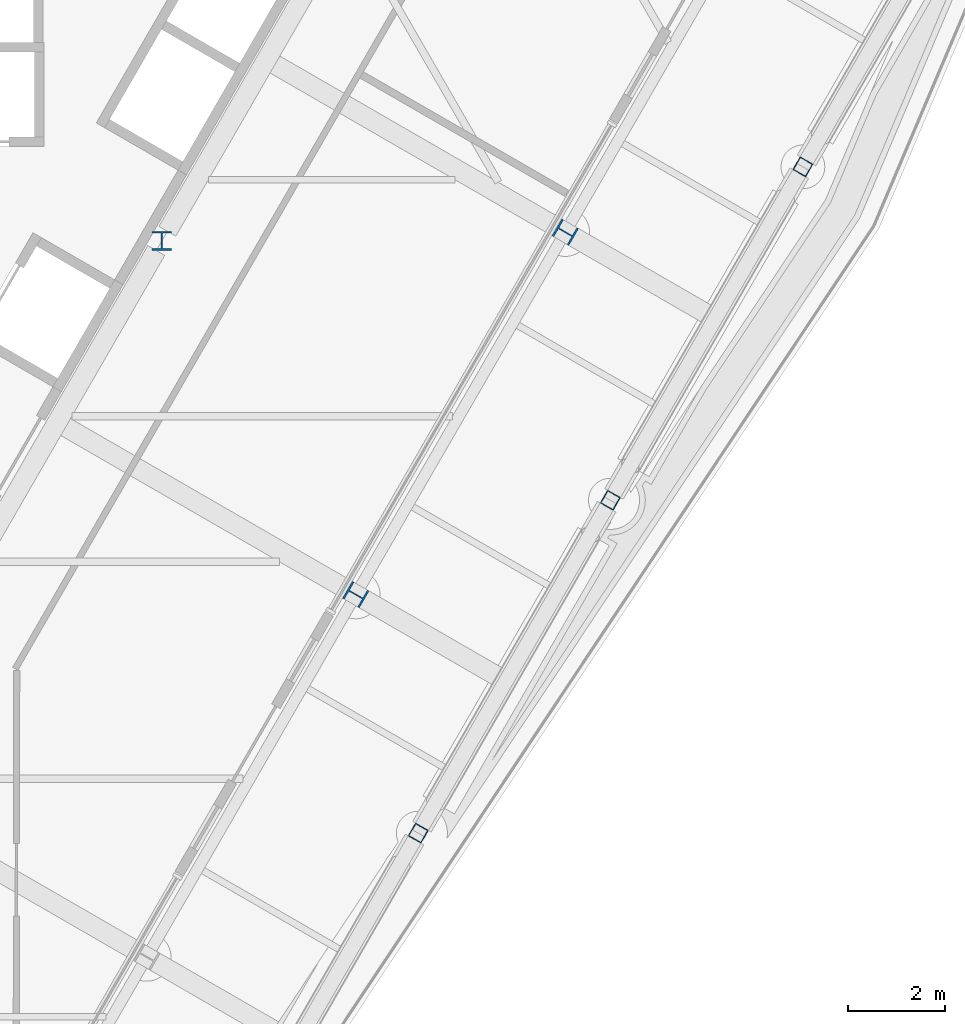
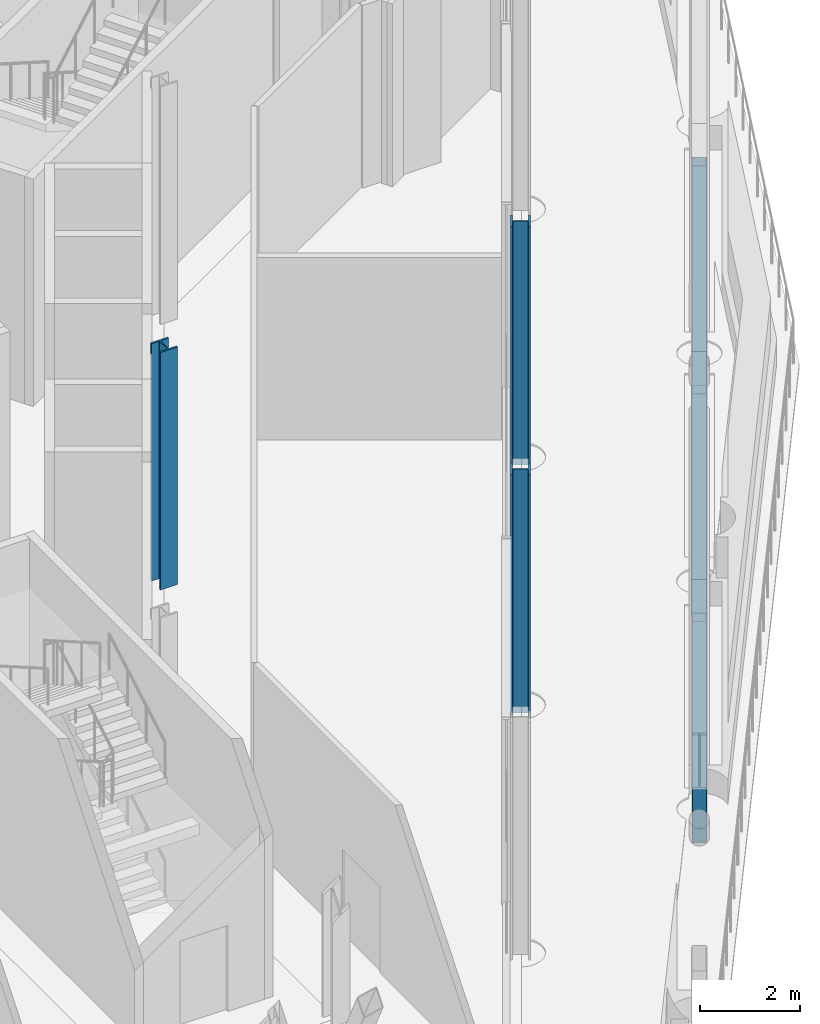
# One storey, part 2 of 24: 6 columns.
"""IFC4 building model written with IfcOpenShell, lengths in metres."""

from ifc_helpers import new_model, si_unit, direction, frame, origin, origin_2d, place, context, subcontext, project, spatial, hollow_rectangle, i_section, extrude, material, material_profile, profile_set, type_object, element, save


model = new_model("IFC4")

# Units and contexts
model_context = context("Model", 3, precision=1e-05, world=origin(), true_north=direction((0.0, 1.0)))
body_context = subcontext(model_context, "Body", "Model", "MODEL_VIEW")
ifc_project = project(units=[si_unit("LENGTHUNIT", "METRE"), si_unit("AREAUNIT", "SQUARE_METRE"), si_unit("VOLUMEUNIT", "CUBIC_METRE"), si_unit("PLANEANGLEUNIT", "RADIAN"), si_unit("MASSUNIT", "GRAM", prefix="KILO")], contexts=[model_context])

# Site, building, storey
site_placement = place(None, origin())
site = spatial("IfcSite", under=ifc_project, at=site_placement, CompositionType="ELEMENT")
building_placement = place(site_placement, origin())
building = spatial("IfcBuilding", under=site, at=building_placement, Name="Verrane Prism Tower", CompositionType="ELEMENT")
storey_placement = place(building_placement, frame((0.0, 0.0, 200.60009765625)))
storey = spatial("IfcBuildingStorey", under=building, at=storey_placement, Name="L50", CompositionType="ELEMENT", Elevation=200.60009765625)

# Columns
ifc_material_1 = material(Name="Steel A500 Grade C", Category="steel")
ifc_material_profile_1 = material_profile(ifc_material_1, hollow_rectangle(XDim=0.3046875, YDim=0.3046875, WallThickness=0.0126953125, InnerFilletRadius=0.00634765625, OuterFilletRadius=0.01904296875, at=origin_2d()), Name="HSS12x12x1/2")
ifc_profile_set_1 = profile_set([ifc_material_profile_1], Name="Steel A500 Grade C")
column_type_1 = type_object("IfcColumnType", Name="Belt truss post HSS12x12x1/2", PredefinedType="COLUMN", material=ifc_profile_set_1)
for number, where, z_axis, x_axis, name in (
    (1, (12.22998046875, -16.239990234375, -0.690185546875), (0.0, 0.0, 1.0), (-0.5, -0.866025403784, 0.0), "Belt truss post L50"),
    (2, (16.199951171875, -9.360107421875, -0.690185546875), (0.0, 0.0, 1.0), (-0.5, -0.866025403784, 0.0), "Belt truss post L50"),
    (3, (20.179931640625, -2.469970703125, -0.690185546875), (0.0, 0.0, 1.0), (-0.5, -0.866025403784, 0.0), "Belt truss post L50"),
):
    element("IfcColumn", number, at=place(storey_placement, frame(where, z_axis=z_axis, x_axis=x_axis)), inside=storey, type_object=column_type_1, Name=name, PredefinedType="COLUMN", context=body_context, shape_type="SweptSolid", body=[
        extrude(hollow_rectangle(XDim=0.3046875, YDim=0.3046875, WallThickness=0.0126953125, InnerFilletRadius=0.00634765625, OuterFilletRadius=0.01904296875, at=origin_2d()), origin(), (0.0, 0.0, 1.0), 5.400146484375),
    ])
ifc_material_2 = material(Name="Steel A992", Category="steel")
ifc_material_profile_2 = material_profile(ifc_material_2, i_section(OverallWidth=0.4013671875, OverallDepth=0.398681640625, WebThickness=0.02490234375, FlangeThickness=0.03955078125, FilletRadius=0.01513671875, at=origin_2d()), Name="W14x211")
ifc_profile_set_2 = profile_set([ifc_material_profile_2], Name="Steel A992")
column_type_2 = type_object("IfcColumnType", Name="Core side column W14x211", PredefinedType="COLUMN", material=ifc_profile_set_2)
column_placement = place(storey_placement, frame((6.929931640625, -4.0, 0.0), z_axis=(0.0, 0.0, 1.0), x_axis=(1.0, 0.0, 0.0)))
element("IfcColumn", 4, at=column_placement, inside=storey, type_object=column_type_2, Name="Core side column CC-SE0 L50", PredefinedType="COLUMN", context=body_context, shape_type="SweptSolid", body=[
    extrude(i_section(OverallWidth=0.4013671875, OverallDepth=0.398681640625, WebThickness=0.02490234375, FlangeThickness=0.03955078125, FilletRadius=0.01513671875, at=origin_2d()), origin(), (0.0, 0.0, 1.0), 5.7998046875),
])
ifc_material_3 = material(Name="Steel A992", Category="steel")
ifc_material_profile_3 = material_profile(ifc_material_3, i_section(OverallWidth=0.4013671875, OverallDepth=0.398681640625, WebThickness=0.02490234375, FlangeThickness=0.03955078125, FilletRadius=0.01513671875, at=origin_2d()), Name="W14x211")
ifc_profile_set_3 = profile_set([ifc_material_profile_3], Name="Steel A992")
column_type_3 = type_object("IfcColumnType", Name="Perimeter column W14x211", PredefinedType="COLUMN", material=ifc_profile_set_3)
for number, where, z_axis, x_axis, name in (
    (5, (10.93994140625, -11.31005859375, -0.16015625), (0.0, 0.0, 1.0), (-0.5, -0.866025403784, 0.0), "Perimeter column PC-SE2 L50"),
    (6, (15.27001953125, -3.820068359375, -0.16015625), (0.0, 0.0, 1.0), (-0.5, -0.866025403784, 0.0), "Perimeter column PC-SE3 L50"),
):
    element("IfcColumn", number, at=place(storey_placement, frame(where, z_axis=z_axis, x_axis=x_axis)), inside=storey, type_object=column_type_3, Name=name, PredefinedType="COLUMN", context=body_context, shape_type="SweptSolid", body=[
        extrude(i_section(OverallWidth=0.4013671875, OverallDepth=0.398681640625, WebThickness=0.02490234375, FlangeThickness=0.03955078125, FilletRadius=0.01513671875, at=origin_2d()), origin(), (0.0, 0.0, 1.0), 5.9599609375),
    ])

save(model, "model.ifc")
